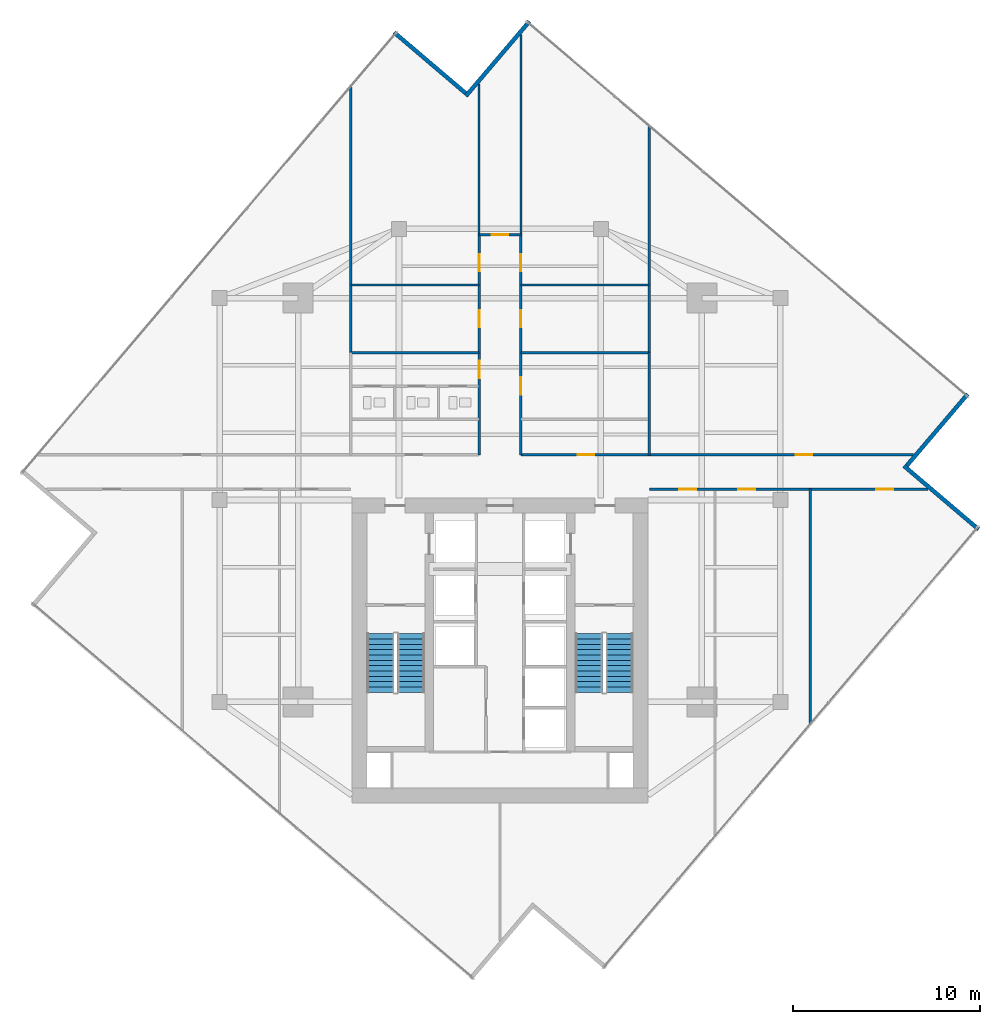
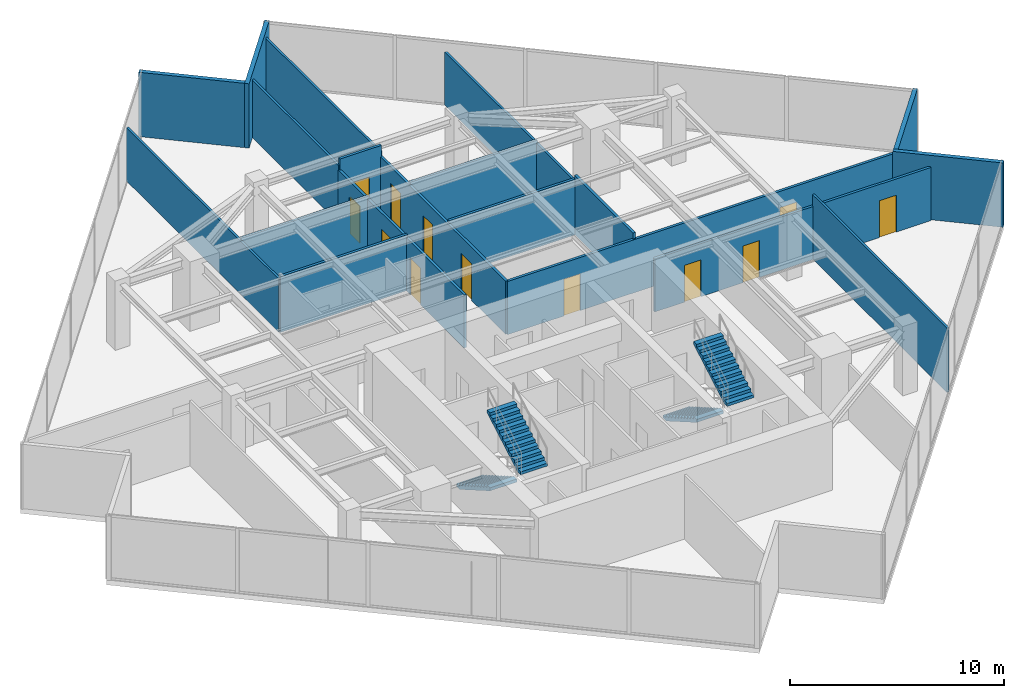
# One storey, part 23 of 25: 19 walls, 12 doors, 4 stair flights, 12 openings, 2 elements without a shape of their own.
"""IFC4 building model written with IfcOpenShell, lengths in metres."""

from ifc_helpers import new_model, si_unit, direction, frame, frame_2d, origin, place, context, subcontext, project, spatial, polyline, rectangle, outline, extrude, material, layer, layer_set, type_object, element, fill, aggregate, save


model = new_model("IFC4")

# Units and contexts
model_context = context("Model", 3, precision=1e-05, world=origin(), true_north=direction((0.0, 1.0)))
body_context = subcontext(model_context, "Body", "Model", "MODEL_VIEW")
ifc_project = project(units=[si_unit("LENGTHUNIT", "METRE"), si_unit("AREAUNIT", "SQUARE_METRE"), si_unit("VOLUMEUNIT", "CUBIC_METRE"), si_unit("PLANEANGLEUNIT", "RADIAN"), si_unit("MASSUNIT", "GRAM", prefix="KILO")], contexts=[model_context])

# Site, building, storey
site_placement = place(None, origin())
site = spatial("IfcSite", under=ifc_project, at=site_placement, CompositionType="ELEMENT")
building_placement = place(site_placement, origin())
building = spatial("IfcBuilding", under=site, at=building_placement, Name="Krantzveldt Concourse Tower", CompositionType="ELEMENT")
storey_placement = place(building_placement, frame((0.0, 0.0, 211.25)))
storey = spatial("IfcBuildingStorey", under=building, at=storey_placement, Name="L51", CompositionType="ELEMENT", Elevation=211.25)

# Walls
ifc_material_1 = material(Name="Anodised aluminium 6063-T6", Category="aluminium")
ifc_layer_1 = layer(ifc_material_1, 0.219970703125, Name="Anodised aluminium 6063-T6", Category="aluminium")
ifc_layer_set_1 = layer_set([ifc_layer_1], Name="Anodised aluminium 6063-T6 (WL-EXT-NOTCH220)")
wall_type_1 = type_object("IfcWallType", Name="WL-EXT-NOTCH220", PredefinedType="ELEMENTEDWALL", material=ifc_layer_set_1)
wall_1_placement = place(storey_placement, frame((34.1611328125, 48.465087890625, 0.0), z_axis=(0.0, 0.0, 1.0), x_axis=(-0.761819427757, 0.647789440707, 0.0)))
element("IfcWall", 1, at=wall_1_placement, inside=storey, type_object=wall_type_1, Name="EW-L51-NCH00", PredefinedType="ELEMENTEDWALL", context=body_context, shape_type="SweptSolid", body=[
    extrude(rectangle(XDim=5.02490234375, YDim=0.219970703125, at=frame_2d((2.512451171875, 0.0))), origin(), (0.0, 0.0, 1.0), 3.669921875),
])
wall_2_placement = place(storey_placement, frame((61.605712890625, 25.128662109375, 0.0), z_axis=(0.0, 0.0, 1.0), x_axis=(-0.761826750047, 0.647780829381, 0.0)))
element("IfcWall", 2, at=wall_2_placement, inside=storey, type_object=wall_type_1, Name="EW-L51-NCH08", PredefinedType="ELEMENTEDWALL", context=body_context, shape_type="SweptSolid", body=[
    extrude(rectangle(XDim=5.244873046875, YDim=0.219970703125, at=frame_2d((2.62255859375, 0.0))), origin(), (0.0, 0.0, 1.0), 3.669921875),
])
wall_3_placement = place(storey_placement, frame((57.76513671875, 28.538818359375, 0.0), z_axis=(0.0, 0.0, 1.0), x_axis=(0.647789440707, 0.761819427757, 0.0)))
element("IfcWall", 3, at=wall_3_placement, inside=storey, type_object=wall_type_1, Name="EW-L51-NCH09", PredefinedType="ELEMENTEDWALL", context=body_context, shape_type="SweptSolid", body=[
    extrude(rectangle(XDim=5.02490234375, YDim=0.219970703125, at=frame_2d((2.512451171875, 0.0))), origin(), (0.0, 0.0, 1.0), 3.669921875),
])
wall_4_placement = place(storey_placement, frame((37.571533203125, 52.305908203125, 0.0), z_axis=(0.0, 0.0, 1.0), x_axis=(-0.647784873465, -0.761823311346, 0.0)))
element("IfcWall", 4, at=wall_4_placement, inside=storey, type_object=wall_type_1, Name="EW-L51-NCH11", PredefinedType="ELEMENTEDWALL", context=body_context, shape_type="SweptSolid", body=[
    extrude(rectangle(XDim=5.2451171875, YDim=0.219970703125, at=frame_2d((2.62255859375, 0.0))), origin(), (0.0, 0.0, 1.0), 3.669921875),
])
ifc_material_2 = material(Name="Fire-rated gypsum plasterboard on steel stud", Category="steel")
ifc_layer_2 = layer(ifc_material_2, 0.1201171875, Name="Fire-rated gypsum plasterboard on steel stud", Category="steel")
ifc_layer_set_2 = layer_set([ifc_layer_2], Name="Fire-rated gypsum plasterboard on steel stud (WL-PART-120)")
wall_type_2 = type_object("IfcWallType", Name="WL-PART-120", PredefinedType="PARTITIONING", material=ifc_layer_set_2)
wall_5_placement = place(storey_placement, frame((34.8798828125, 40.8798828125, 0.0), z_axis=(0.0, 0.0, 1.0), x_axis=(0.0, 1.0, 0.0)))
element("IfcWall", 5, at=wall_5_placement, inside=storey, type_object=wall_type_2, Name="WP-L51-NTL", PredefinedType="PARTITIONING", context=body_context, shape_type="SweptSolid", body=[
    extrude(rectangle(XDim=8.083251953125, YDim=0.1201171875, at=frame_2d((4.04150390625, 0.0))), origin(), (0.0, 0.0, 1.0), 3.280029296875),
])
wall_6_placement = place(storey_placement, frame((37.1201171875, 40.8798828125, 0.0), z_axis=(0.0, 0.0, 1.0), x_axis=(0.0, 1.0, 0.0)))
element("IfcWall", 6, at=wall_6_placement, inside=storey, type_object=wall_type_2, Name="WP-L51-NTR", PredefinedType="PARTITIONING", context=body_context, shape_type="SweptSolid", body=[
    extrude(rectangle(XDim=10.717529296875, YDim=0.1201171875, at=frame_2d((5.35888671875, 0.0))), origin(), (0.0, 0.0, 1.0), 3.280029296875),
])
wall_7_placement = place(storey_placement, frame((28.02001953125, 34.580078125, 0.0), z_axis=(0.0, 0.0, 1.0), x_axis=(0.0, 1.0, 0.0)))
element("IfcWall", 7, at=wall_7_placement, inside=storey, type_object=wall_type_2, Name="WP-L51-ISWL2", PredefinedType="PARTITIONING", context=body_context, shape_type="SweptSolid", body=[
    extrude(rectangle(XDim=14.242431640625, YDim=0.1201171875, at=frame_2d((7.12109375, 0.0))), origin(), (0.0, 0.0, 1.0), 3.030029296875),
])
wall_8_placement = place(storey_placement, frame((43.97998046875, 34.580078125, 0.0), z_axis=(0.0, 0.0, 1.0), x_axis=(0.0, 1.0, 0.0)))
element("IfcWall", 8, at=wall_8_placement, inside=storey, type_object=wall_type_2, Name="WP-L51-ISER2", PredefinedType="PARTITIONING", context=body_context, shape_type="SweptSolid", body=[
    extrude(rectangle(XDim=12.12548828125, YDim=0.1201171875, at=frame_2d((6.062744140625, 0.0))), origin(), (0.0, 0.0, 1.0), 3.030029296875),
])
for number, where, z_axis, x_axis, name in (
    (9, (28.02001953125, 38.199951171875, 0.0), (0.0, 0.0, 1.0), (1.0, 0.0, 0.0), "WP-L51-NWIY"),
    (10, (37.1201171875, 38.199951171875, 0.0), (0.0, 0.0, 1.0), (1.0, 0.0, 0.0), "WP-L51-NEIY"),
):
    element("IfcWall", number, at=place(storey_placement, frame(where, z_axis=z_axis, x_axis=x_axis)), inside=storey, type_object=wall_type_2, Name=name, PredefinedType="PARTITIONING", context=body_context, shape_type="SweptSolid", body=[
        extrude(rectangle(XDim=6.85986328125, YDim=0.1201171875, at=frame_2d((3.429931640625, 0.0))), origin(), (0.0, 0.0, 1.0), 3.179931640625),
    ])
wall_9_placement = place(storey_placement, frame((52.60009765625, 14.71484375, 0.0), z_axis=(0.0, 0.0, 1.0), x_axis=(0.0, 1.0, 0.0)))
element("IfcWall", 11, at=wall_9_placement, inside=storey, type_object=wall_type_2, Name="WP-L51-SEX2", PredefinedType="PARTITIONING", context=body_context, shape_type="SweptSolid", body=[
    extrude(rectangle(XDim=12.565185546875, YDim=0.1201171875, at=frame_2d((6.28271484375, 0.0))), origin(), (0.0, 0.0, 1.0), 3.669921875),
])

# Wall, openings, doors
ifc_layer_3 = layer(ifc_material_2, 0.139892578125, Name="Fire-rated gypsum plasterboard on steel stud", Category="steel")
ifc_layer_set_3 = layer_set([ifc_layer_3], Name="Fire-rated gypsum plasterboard on steel stud (WL-PART-140)")
wall_type_3 = type_object("IfcWallType", Name="WL-PART-140", PredefinedType="PARTITIONING", material=ifc_layer_set_3)
wall_10_placement = place(storey_placement, frame((34.8798828125, 29.1201171875, 0.0), z_axis=(0.0, 0.0, 1.0), x_axis=(0.0, 1.0, 0.0)))
wall_10 = element("IfcWall", 12, at=wall_10_placement, inside=storey, type_object=wall_type_3, Name="WP-L51-SPWL", PredefinedType="PARTITIONING", context=body_context, shape_type="SweptSolid", body=[
    extrude(rectangle(XDim=11.759765625, YDim=0.139892578125, at=frame_2d((5.8798828125, 0.0))), origin(), (0.0, 0.0, 1.0), 3.030029296875),
])
opening_1_placement = place(wall_10_placement, frame((4.0849609375, 0.0, 0.0)))
opening_1 = element("IfcOpeningElement", 13, at=opening_1_placement, cuts=wall_10, Name="Opening D-IN095", PredefinedType="OPENING", context=body_context, shape_type="SweptSolid", body=[
    extrude(rectangle(XDim=0.949951171875, YDim=2.10009765625, at=frame_2d((0.47509765625, 1.050048828125))), frame((0.0, 0.080078125, 0.0), z_axis=(0.0, -1.0, 0.0), x_axis=(1.0, 0.0, 0.0)), (0.0, 0.0, 1.0), 0.159912109375),
])
opening_2_placement = place(wall_10_placement, frame((6.820068359375, 0.0, 0.0)))
opening_2 = element("IfcOpeningElement", 14, at=opening_2_placement, cuts=wall_10, Name="Opening D-IN090", PredefinedType="OPENING", context=body_context, shape_type="SweptSolid", body=[
    extrude(rectangle(XDim=0.89990234375, YDim=2.10009765625, at=frame_2d((0.449951171875, 1.050048828125))), frame((0.0, 0.080078125, 0.0), z_axis=(0.0, -1.0, 0.0), x_axis=(1.0, 0.0, 0.0)), (0.0, 0.0, 1.0), 0.159912109375),
])
opening_3_placement = place(wall_10_placement, frame((9.830078125, 0.0, 0.0)))
opening_3 = element("IfcOpeningElement", 15, at=opening_3_placement, cuts=wall_10, Name="Opening D-IN090", PredefinedType="OPENING", context=body_context, shape_type="SweptSolid", body=[
    extrude(rectangle(XDim=0.89990234375, YDim=2.10009765625, at=frame_2d((0.449951171875, 1.050048828125))), frame((0.0, 0.080078125, 0.0), z_axis=(0.0, -1.0, 0.0), x_axis=(1.0, 0.0, 0.0)), (0.0, 0.0, 1.0), 0.159912109375),
])
ifc_material_3 = material(Name="Hardwood timber", Category="wood")
door_type_1 = type_object("IfcDoorType", Name="DR-INT-900", OperationType="SINGLE_SWING_LEFT", PredefinedType="DOOR", material=ifc_material_3)
door_1_placement = place(opening_2_placement, origin())
door_1 = element("IfcDoor", 16, at=door_1_placement, inside=storey, type_object=door_type_1, Name="DR-L51-NWI1", OperationType="SINGLE_SWING_LEFT", OverallHeight=2.10009765625, OverallWidth=0.89990234375, PredefinedType="DOOR", context=body_context, shape_type="SweptSolid", body=[
    extrude(rectangle(XDim=0.89990234375, YDim=2.10009765625, at=frame_2d((0.449951171875, 1.050048828125))), frame((0.0, 0.02490234375, 0.0), z_axis=(0.0, -1.0, 0.0), x_axis=(1.0, 0.0, 0.0)), (0.0, 0.0, 1.0), 0.050048828125),
])
fill(opening_2, door_1)
door_2_placement = place(opening_3_placement, origin())
door_2 = element("IfcDoor", 17, at=door_2_placement, inside=storey, type_object=door_type_1, Name="DR-L51-NWI2", OperationType="SINGLE_SWING_LEFT", OverallHeight=2.10009765625, OverallWidth=0.89990234375, PredefinedType="DOOR", context=body_context, shape_type="SweptSolid", body=[
    extrude(rectangle(XDim=0.89990234375, YDim=2.10009765625, at=frame_2d((0.449951171875, 1.050048828125))), frame((0.0, 0.02490234375, 0.0), z_axis=(0.0, -1.0, 0.0), x_axis=(1.0, 0.0, 0.0)), (0.0, 0.0, 1.0), 0.050048828125),
])
fill(opening_3, door_2)
door_type_2 = type_object("IfcDoorType", Name="DR-INT-950", OperationType="SINGLE_SWING_LEFT", PredefinedType="DOOR", material=ifc_material_3)
door_3_placement = place(opening_1_placement, origin())
door_3 = element("IfcDoor", 18, at=door_3_placement, inside=storey, type_object=door_type_2, Name="DR-L51-WCLB", OperationType="SINGLE_SWING_LEFT", OverallHeight=2.10009765625, OverallWidth=0.949951171875, PredefinedType="DOOR", context=body_context, shape_type="SweptSolid", body=[
    extrude(rectangle(XDim=0.949951171875, YDim=2.10009765625, at=frame_2d((0.47509765625, 1.050048828125))), frame((0.0, 0.02490234375, 0.0), z_axis=(0.0, -1.0, 0.0), x_axis=(1.0, 0.0, 0.0)), (0.0, 0.0, 1.0), 0.050048828125),
])
fill(opening_1, door_3)

wall_11_placement = place(storey_placement, frame((37.1201171875, 29.1201171875, 0.0), z_axis=(0.0, 0.0, 1.0), x_axis=(0.0, 1.0, 0.0)))
wall_11 = element("IfcWall", 19, at=wall_11_placement, inside=storey, type_object=wall_type_3, Name="WP-L51-SPER", PredefinedType="PARTITIONING", context=body_context, shape_type="SweptSolid", body=[
    extrude(rectangle(XDim=11.759765625, YDim=0.139892578125, at=frame_2d((5.8798828125, 0.0))), origin(), (0.0, 0.0, 1.0), 3.030029296875),
])
opening_4_placement = place(wall_11_placement, frame((3.205078125, 0.0, 0.0)))
opening_4 = element("IfcOpeningElement", 20, at=opening_4_placement, cuts=wall_11, Name="Opening D-IN095", PredefinedType="OPENING", context=body_context, shape_type="SweptSolid", body=[
    extrude(rectangle(XDim=0.949951171875, YDim=2.10009765625, at=frame_2d((0.47509765625, 1.050048828125))), frame((0.0, 0.080078125, 0.0), z_axis=(0.0, -1.0, 0.0), x_axis=(1.0, 0.0, 0.0)), (0.0, 0.0, 1.0), 0.159912109375),
])
opening_5_placement = place(wall_11_placement, frame((6.820068359375, 0.0, 0.0)))
opening_5 = element("IfcOpeningElement", 21, at=opening_5_placement, cuts=wall_11, Name="Opening D-IN090", PredefinedType="OPENING", context=body_context, shape_type="SweptSolid", body=[
    extrude(rectangle(XDim=0.89990234375, YDim=2.10009765625, at=frame_2d((0.449951171875, 1.050048828125))), frame((0.0, 0.080078125, 0.0), z_axis=(0.0, -1.0, 0.0), x_axis=(1.0, 0.0, 0.0)), (0.0, 0.0, 1.0), 0.159912109375),
])
opening_6_placement = place(wall_11_placement, frame((9.830078125, 0.0, 0.0)))
opening_6 = element("IfcOpeningElement", 22, at=opening_6_placement, cuts=wall_11, Name="Opening D-IN090", PredefinedType="OPENING", context=body_context, shape_type="SweptSolid", body=[
    extrude(rectangle(XDim=0.89990234375, YDim=2.10009765625, at=frame_2d((0.449951171875, 1.050048828125))), frame((0.0, 0.080078125, 0.0), z_axis=(0.0, -1.0, 0.0), x_axis=(1.0, 0.0, 0.0)), (0.0, 0.0, 1.0), 0.159912109375),
])
door_4_placement = place(opening_5_placement, origin())
door_4 = element("IfcDoor", 23, at=door_4_placement, inside=storey, type_object=door_type_1, Name="DR-L51-NEI1", OperationType="SINGLE_SWING_LEFT", OverallHeight=2.10009765625, OverallWidth=0.89990234375, PredefinedType="DOOR", context=body_context, shape_type="SweptSolid", body=[
    extrude(rectangle(XDim=0.89990234375, YDim=2.10009765625, at=frame_2d((0.449951171875, 1.050048828125))), frame((0.0, 0.02490234375, 0.0), z_axis=(0.0, -1.0, 0.0), x_axis=(1.0, 0.0, 0.0)), (0.0, 0.0, 1.0), 0.050048828125),
])
fill(opening_5, door_4)
door_5_placement = place(opening_6_placement, origin())
door_5 = element("IfcDoor", 24, at=door_5_placement, inside=storey, type_object=door_type_1, Name="DR-L51-NEI2", OperationType="SINGLE_SWING_LEFT", OverallHeight=2.10009765625, OverallWidth=0.89990234375, PredefinedType="DOOR", context=body_context, shape_type="SweptSolid", body=[
    extrude(rectangle(XDim=0.89990234375, YDim=2.10009765625, at=frame_2d((0.449951171875, 1.050048828125))), frame((0.0, 0.02490234375, 0.0), z_axis=(0.0, -1.0, 0.0), x_axis=(1.0, 0.0, 0.0)), (0.0, 0.0, 1.0), 0.050048828125),
])
fill(opening_6, door_5)
door_6_placement = place(opening_4_placement, origin())
door_6 = element("IfcDoor", 25, at=door_6_placement, inside=storey, type_object=door_type_2, Name="DR-L51-PNT", OperationType="SINGLE_SWING_RIGHT", OverallHeight=2.10009765625, OverallWidth=0.949951171875, PredefinedType="DOOR", context=body_context, shape_type="SweptSolid", body=[
    extrude(rectangle(XDim=0.949951171875, YDim=2.10009765625, at=frame_2d((0.47509765625, 1.050048828125))), frame((0.0, 0.02490234375, 0.0), z_axis=(0.0, -1.0, 0.0), x_axis=(1.0, 0.0, 0.0)), (0.0, 0.0, 1.0), 0.050048828125),
])
fill(opening_4, door_6)

# Wall, opening, door
wall_12_placement = place(storey_placement, frame((34.8798828125, 40.8798828125, 0.0), z_axis=(0.0, 0.0, 1.0), x_axis=(1.0, 0.0, 0.0)))
wall_12 = element("IfcWall", 26, at=wall_12_placement, inside=storey, type_object=wall_type_3, Name="WP-L51-SPTOP", PredefinedType="PARTITIONING", context=body_context, shape_type="SweptSolid", body=[
    extrude(rectangle(XDim=2.240234375, YDim=0.139892578125, at=frame_2d((1.1201171875, 0.0))), origin(), (0.0, 0.0, 1.0), 3.669921875),
])
opening_7_placement = place(wall_12_placement, frame((0.669921875, 0.0, 0.0)))
opening_7 = element("IfcOpeningElement", 27, at=opening_7_placement, cuts=wall_12, Name="Opening D-IN090", PredefinedType="OPENING", context=body_context, shape_type="SweptSolid", body=[
    extrude(rectangle(XDim=0.89990234375, YDim=2.10009765625, at=frame_2d((0.449951171875, 1.050048828125))), frame((0.0, 0.080078125, 0.0), z_axis=(0.0, -1.0, 0.0), x_axis=(1.0, 0.0, 0.0)), (0.0, 0.0, 1.0), 0.159912109375),
])
door_7_placement = place(opening_7_placement, origin())
door_7 = element("IfcDoor", 28, at=door_7_placement, inside=storey, type_object=door_type_1, Name="DR-L51-NTOP", OperationType="SINGLE_SWING_LEFT", OverallHeight=2.10009765625, OverallWidth=0.89990234375, PredefinedType="DOOR", context=body_context, shape_type="SweptSolid", body=[
    extrude(rectangle(XDim=0.89990234375, YDim=2.10009765625, at=frame_2d((0.449951171875, 1.050048828125))), frame((0.0, 0.02490234375, 0.0), z_axis=(0.0, -1.0, 0.0), x_axis=(1.0, 0.0, 0.0)), (0.0, 0.0, 1.0), 0.050048828125),
])
fill(opening_7, door_7)

# Wall, openings, doors
wall_13_placement = place(storey_placement, frame((37.1201171875, 29.1201171875, 0.0), z_axis=(0.0, 0.0, 1.0), x_axis=(1.0, 0.0, 0.0)))
wall_13 = element("IfcWall", 29, at=wall_13_placement, inside=storey, type_object=wall_type_3, Name="WP-L51-EWNR", PredefinedType="PARTITIONING", context=body_context, shape_type="SweptSolid", body=[
    extrude(rectangle(XDim=20.98828125, YDim=0.139892578125, at=frame_2d((10.494140625, 0.0))), origin(), (0.0, 0.0, 1.0), 3.030029296875),
])
opening_8_placement = place(wall_13_placement, frame((3.030029296875, 0.0, 0.0)))
opening_8 = element("IfcOpeningElement", 30, at=opening_8_placement, cuts=wall_13, Name="Opening D-IN090", PredefinedType="OPENING", context=body_context, shape_type="SweptSolid", body=[
    extrude(rectangle(XDim=0.89990234375, YDim=2.10009765625, at=frame_2d((0.449951171875, 1.050048828125))), frame((0.0, 0.080078125, 0.0), z_axis=(0.0, -1.0, 0.0), x_axis=(1.0, 0.0, 0.0)), (0.0, 0.0, 1.0), 0.159912109375),
])
opening_9_placement = place(wall_13_placement, frame((14.694091796875, 0.0, 0.0)))
opening_9 = element("IfcOpeningElement", 31, at=opening_9_placement, cuts=wall_13, Name="Opening D-IN090", PredefinedType="OPENING", context=body_context, shape_type="SweptSolid", body=[
    extrude(rectangle(XDim=0.89990234375, YDim=2.10009765625, at=frame_2d((0.449951171875, 1.050048828125))), frame((0.0, 0.080078125, 0.0), z_axis=(0.0, -1.0, 0.0), x_axis=(1.0, 0.0, 0.0)), (0.0, 0.0, 1.0), 0.159912109375),
])
door_8_placement = place(opening_8_placement, origin())
door_8 = element("IfcDoor", 32, at=door_8_placement, inside=storey, type_object=door_type_1, Name="DR-L51-ALCR", OperationType="SINGLE_SWING_RIGHT", OverallHeight=2.10009765625, OverallWidth=0.89990234375, PredefinedType="DOOR", context=body_context, shape_type="SweptSolid", body=[
    extrude(rectangle(XDim=0.89990234375, YDim=2.10009765625, at=frame_2d((0.449951171875, 1.050048828125))), frame((0.0, 0.02490234375, 0.0), z_axis=(0.0, -1.0, 0.0), x_axis=(1.0, 0.0, 0.0)), (0.0, 0.0, 1.0), 0.050048828125),
])
fill(opening_8, door_8)
door_9_placement = place(opening_9_placement, origin())
door_9 = element("IfcDoor", 33, at=door_9_placement, inside=storey, type_object=door_type_1, Name="DR-L51-NEX1", OperationType="SINGLE_SWING_RIGHT", OverallHeight=2.10009765625, OverallWidth=0.89990234375, PredefinedType="DOOR", context=body_context, shape_type="SweptSolid", body=[
    extrude(rectangle(XDim=0.89990234375, YDim=2.10009765625, at=frame_2d((0.449951171875, 1.050048828125))), frame((0.0, 0.02490234375, 0.0), z_axis=(0.0, -1.0, 0.0), x_axis=(1.0, 0.0, 0.0)), (0.0, 0.0, 1.0), 0.050048828125),
])
fill(opening_9, door_9)

wall_14_placement = place(storey_placement, frame((44.0, 27.280029296875, 0.0), z_axis=(0.0, 0.0, 1.0), x_axis=(1.0, 0.0, 0.0)))
wall_14 = element("IfcWall", 34, at=wall_14_placement, inside=storey, type_object=wall_type_3, Name="WP-L51-EWSR", PredefinedType="PARTITIONING", context=body_context, shape_type="SweptSolid", body=[
    extrude(rectangle(XDim=14.898193359375, YDim=0.139892578125, at=frame_2d((7.44921875, 0.0))), origin(), (0.0, 0.0, 1.0), 3.030029296875),
])
opening_10_placement = place(wall_14_placement, frame((1.60009765625, 0.0, 0.0)))
opening_10 = element("IfcOpeningElement", 35, at=opening_10_placement, cuts=wall_14, Name="Opening D-IN090", PredefinedType="OPENING", context=body_context, shape_type="SweptSolid", body=[
    extrude(rectangle(XDim=0.89990234375, YDim=2.10009765625, at=frame_2d((0.449951171875, 1.050048828125))), frame((0.0, 0.080078125, 0.0), z_axis=(0.0, -1.0, 0.0), x_axis=(1.0, 0.0, 0.0)), (0.0, 0.0, 1.0), 0.159912109375),
])
opening_11_placement = place(wall_14_placement, frame((4.75, 0.0, 0.0)))
opening_11 = element("IfcOpeningElement", 36, at=opening_11_placement, cuts=wall_14, Name="Opening D-IN090", PredefinedType="OPENING", context=body_context, shape_type="SweptSolid", body=[
    extrude(rectangle(XDim=0.89990234375, YDim=2.10009765625, at=frame_2d((0.449951171875, 1.050048828125))), frame((0.0, 0.080078125, 0.0), z_axis=(0.0, -1.0, 0.0), x_axis=(1.0, 0.0, 0.0)), (0.0, 0.0, 1.0), 0.159912109375),
])
opening_12_placement = place(wall_14_placement, frame((12.1240234375, 0.0, 0.0)))
opening_12 = element("IfcOpeningElement", 37, at=opening_12_placement, cuts=wall_14, Name="Opening D-IN090", PredefinedType="OPENING", context=body_context, shape_type="SweptSolid", body=[
    extrude(rectangle(XDim=0.89990234375, YDim=2.10009765625, at=frame_2d((0.449951171875, 1.050048828125))), frame((0.0, 0.080078125, 0.0), z_axis=(0.0, -1.0, 0.0), x_axis=(1.0, 0.0, 0.0)), (0.0, 0.0, 1.0), 0.159912109375),
])
door_10_placement = place(opening_10_placement, origin())
door_10 = element("IfcDoor", 38, at=door_10_placement, inside=storey, type_object=door_type_1, Name="DR-L51-SEX1", OperationType="SINGLE_SWING_RIGHT", OverallHeight=2.10009765625, OverallWidth=0.89990234375, PredefinedType="DOOR", context=body_context, shape_type="SweptSolid", body=[
    extrude(rectangle(XDim=0.89990234375, YDim=2.10009765625, at=frame_2d((0.449951171875, 1.050048828125))), frame((0.0, 0.02490234375, 0.0), z_axis=(0.0, -1.0, 0.0), x_axis=(1.0, 0.0, 0.0)), (0.0, 0.0, 1.0), 0.050048828125),
])
fill(opening_10, door_10)
door_11_placement = place(opening_11_placement, origin())
door_11 = element("IfcDoor", 39, at=door_11_placement, inside=storey, type_object=door_type_1, Name="DR-L51-SEX2", OperationType="SINGLE_SWING_RIGHT", OverallHeight=2.10009765625, OverallWidth=0.89990234375, PredefinedType="DOOR", context=body_context, shape_type="SweptSolid", body=[
    extrude(rectangle(XDim=0.89990234375, YDim=2.10009765625, at=frame_2d((0.449951171875, 1.050048828125))), frame((0.0, 0.02490234375, 0.0), z_axis=(0.0, -1.0, 0.0), x_axis=(1.0, 0.0, 0.0)), (0.0, 0.0, 1.0), 0.050048828125),
])
fill(opening_11, door_11)
door_12_placement = place(opening_12_placement, origin())
door_12 = element("IfcDoor", 40, at=door_12_placement, inside=storey, type_object=door_type_1, Name="DR-L51-SEX3", OperationType="SINGLE_SWING_RIGHT", OverallHeight=2.10009765625, OverallWidth=0.89990234375, PredefinedType="DOOR", context=body_context, shape_type="SweptSolid", body=[
    extrude(rectangle(XDim=0.89990234375, YDim=2.10009765625, at=frame_2d((0.449951171875, 1.050048828125))), frame((0.0, 0.02490234375, 0.0), z_axis=(0.0, -1.0, 0.0), x_axis=(1.0, 0.0, 0.0)), (0.0, 0.0, 1.0), 0.050048828125),
])
fill(opening_12, door_12)

# Walls
for number, where, z_axis, x_axis, name in (
    (41, (28.02001953125, 34.580078125, 0.0), (0.0, 0.0, 1.0), (1.0, 0.0, 0.0), "WP-L51-ISNL"),
    (42, (37.1201171875, 34.580078125, 0.0), (0.0, 0.0, 1.0), (1.0, 0.0, 0.0), "WP-L51-ISNR"),
):
    element("IfcWall", number, at=place(storey_placement, frame(where, z_axis=z_axis, x_axis=x_axis)), inside=storey, type_object=wall_type_3, Name=name, PredefinedType="PARTITIONING", context=body_context, shape_type="SweptSolid", body=[
        extrude(rectangle(XDim=6.85986328125, YDim=0.139892578125, at=frame_2d((3.429931640625, 0.0))), origin(), (0.0, 0.0, 1.0), 3.179931640625),
    ])
wall_15_placement = place(storey_placement, frame((43.97998046875, 29.1201171875, 0.0), z_axis=(0.0, 0.0, 1.0), x_axis=(0.0, 1.0, 0.0)))
element("IfcWall", 43, at=wall_15_placement, inside=storey, type_object=wall_type_3, Name="WP-L51-ISER", PredefinedType="PARTITIONING", context=body_context, shape_type="SweptSolid", body=[
    extrude(rectangle(XDim=5.4599609375, YDim=0.139892578125, at=frame_2d((2.72998046875, 0.0))), origin(), (0.0, 0.0, 1.0), 3.3701171875),
])

# Stair, stair flights
ifc_material_4 = material(Name="Precast concrete C40/50", Category="concrete")
stair_type = type_object("IfcStairType", Name="STR-CORE-DOGLEG", PredefinedType="HALF_TURN_STAIR", material=ifc_material_4)
stair_1_placement = place(storey_placement, origin())
stair_1 = element("IfcStair", 44, at=stair_1_placement, inside=storey, type_object=stair_type, Name="L51 Protected Escape Stair ST-1", PredefinedType="HALF_TURN_STAIR")
stair_flight_type = type_object("IfcStairFlightType", Name="STF-CORE-1450", PredefinedType="STRAIGHT", material=ifc_material_4)
stair_flight_1_placement = place(storey_placement, frame((29.60498046875, 19.550048828125, 0.0), z_axis=(0.0, 0.0, 1.0), x_axis=(0.0, -1.0, 0.0)))
stair_flight_1 = element("IfcStairFlight", 45, at=stair_flight_1_placement, type_object=stair_flight_type, Name="ST-1 flight 1", NumberOfRisers=12, NumberOfTreads=11, PredefinedType="STRAIGHT", RiserHeight=0.164583333, TreadLength=0.285, context=body_context, shape_type="SweptSolid", body=[
    extrude(outline(polyline([(0.0, 0.0), (0.0, 0.16455078125), (0.284912109375, 0.16455078125), (0.284912109375, 0.3291015625), (0.570068359375, 0.3291015625), (0.570068359375, 0.49365234375), (0.85498046875, 0.49365234375), (0.85498046875, 0.658447265625), (1.139892578125, 0.658447265625), (1.139892578125, 0.822998046875), (1.425048828125, 0.822998046875), (1.425048828125, 0.987548828125), (1.7099609375, 0.987548828125), (1.7099609375, 1.152099609375), (1.9951171875, 1.152099609375), (1.9951171875, 1.316650390625), (2.280029296875, 1.316650390625), (2.280029296875, 1.481201171875), (2.56494140625, 1.481201171875), (2.56494140625, 1.645751953125), (2.85009765625, 1.645751953125), (2.85009765625, 1.810302734375), (3.135009765625, 1.810302734375), (3.135009765625, 1.97509765625), (3.135009765625, 1.63720703125), (0.2998046875, 0.0), (0.0, 0.0)])), frame((0.0, 0.72509765625, 0.0), z_axis=(0.0, -1.0, 0.0), x_axis=(1.0, 0.0, 0.0)), (0.0, 0.0, 1.0), 1.449951171875),
])
stair_flight_2_placement = place(storey_placement, frame((31.2548828125, 16.4150390625, 1.97509765625), z_axis=(0.0, 0.0, 1.0), x_axis=(0.0, 1.0, 0.0)))
stair_flight_2 = element("IfcStairFlight", 46, at=stair_flight_2_placement, type_object=stair_flight_type, Name="ST-1 flight 2", NumberOfRisers=12, NumberOfTreads=11, PredefinedType="STRAIGHT", RiserHeight=0.164583333, TreadLength=0.285, context=body_context, shape_type="SweptSolid", body=[
    extrude(outline(polyline([(0.0, 0.0), (0.0, 0.16455078125), (0.284912109375, 0.16455078125), (0.284912109375, 0.3291015625), (0.570068359375, 0.3291015625), (0.570068359375, 0.49365234375), (0.85498046875, 0.49365234375), (0.85498046875, 0.658447265625), (1.139892578125, 0.658447265625), (1.139892578125, 0.822998046875), (1.425048828125, 0.822998046875), (1.425048828125, 0.987548828125), (1.7099609375, 0.987548828125), (1.7099609375, 1.152099609375), (1.9951171875, 1.152099609375), (1.9951171875, 1.316650390625), (2.280029296875, 1.316650390625), (2.280029296875, 1.481201171875), (2.56494140625, 1.481201171875), (2.56494140625, 1.645751953125), (2.85009765625, 1.645751953125), (2.85009765625, 1.810302734375), (3.135009765625, 1.810302734375), (3.135009765625, 1.97509765625), (3.135009765625, 1.63720703125), (0.2998046875, 0.0), (0.0, 0.0)])), frame((0.0, 0.72509765625, 0.0), z_axis=(0.0, -1.0, 0.0), x_axis=(1.0, 0.0, 0.0)), (0.0, 0.0, 1.0), 1.449951171875),
])
aggregate(stair_1, [stair_flight_1, stair_flight_2])

stair_2_placement = place(storey_placement, origin())
stair_2 = element("IfcStair", 47, at=stair_2_placement, inside=storey, type_object=stair_type, Name="L51 Protected Escape Stair ST-2", PredefinedType="HALF_TURN_STAIR")
stair_flight_3_placement = place(storey_placement, frame((40.7451171875, 19.550048828125, 0.0), z_axis=(0.0, 0.0, 1.0), x_axis=(0.0, -1.0, 0.0)))
stair_flight_3 = element("IfcStairFlight", 48, at=stair_flight_3_placement, type_object=stair_flight_type, Name="ST-2 flight 1", NumberOfRisers=12, NumberOfTreads=11, PredefinedType="STRAIGHT", RiserHeight=0.164583333, TreadLength=0.285, context=body_context, shape_type="SweptSolid", body=[
    extrude(outline(polyline([(0.0, 0.0), (0.0, 0.16455078125), (0.284912109375, 0.16455078125), (0.284912109375, 0.3291015625), (0.570068359375, 0.3291015625), (0.570068359375, 0.49365234375), (0.85498046875, 0.49365234375), (0.85498046875, 0.658447265625), (1.139892578125, 0.658447265625), (1.139892578125, 0.822998046875), (1.425048828125, 0.822998046875), (1.425048828125, 0.987548828125), (1.7099609375, 0.987548828125), (1.7099609375, 1.152099609375), (1.9951171875, 1.152099609375), (1.9951171875, 1.316650390625), (2.280029296875, 1.316650390625), (2.280029296875, 1.481201171875), (2.56494140625, 1.481201171875), (2.56494140625, 1.645751953125), (2.85009765625, 1.645751953125), (2.85009765625, 1.810302734375), (3.135009765625, 1.810302734375), (3.135009765625, 1.97509765625), (3.135009765625, 1.63720703125), (0.2998046875, 0.0), (0.0, 0.0)])), frame((0.0, 0.72509765625, 0.0), z_axis=(0.0, -1.0, 0.0), x_axis=(1.0, 0.0, 0.0)), (0.0, 0.0, 1.0), 1.449951171875),
])
stair_flight_4_placement = place(storey_placement, frame((42.39501953125, 16.4150390625, 1.97509765625), z_axis=(0.0, 0.0, 1.0), x_axis=(0.0, 1.0, 0.0)))
stair_flight_4 = element("IfcStairFlight", 49, at=stair_flight_4_placement, type_object=stair_flight_type, Name="ST-2 flight 2", NumberOfRisers=12, NumberOfTreads=11, PredefinedType="STRAIGHT", RiserHeight=0.164583333, TreadLength=0.285, context=body_context, shape_type="SweptSolid", body=[
    extrude(outline(polyline([(0.0, 0.0), (0.0, 0.16455078125), (0.284912109375, 0.16455078125), (0.284912109375, 0.3291015625), (0.570068359375, 0.3291015625), (0.570068359375, 0.49365234375), (0.85498046875, 0.49365234375), (0.85498046875, 0.658447265625), (1.139892578125, 0.658447265625), (1.139892578125, 0.822998046875), (1.425048828125, 0.822998046875), (1.425048828125, 0.987548828125), (1.7099609375, 0.987548828125), (1.7099609375, 1.152099609375), (1.9951171875, 1.152099609375), (1.9951171875, 1.316650390625), (2.280029296875, 1.316650390625), (2.280029296875, 1.481201171875), (2.56494140625, 1.481201171875), (2.56494140625, 1.645751953125), (2.85009765625, 1.645751953125), (2.85009765625, 1.810302734375), (3.135009765625, 1.810302734375), (3.135009765625, 1.97509765625), (3.135009765625, 1.63720703125), (0.2998046875, 0.0), (0.0, 0.0)])), frame((0.0, 0.72509765625, 0.0), z_axis=(0.0, -1.0, 0.0), x_axis=(1.0, 0.0, 0.0)), (0.0, 0.0, 1.0), 1.449951171875),
])
aggregate(stair_2, [stair_flight_3, stair_flight_4])

save(model, "model.ifc")
